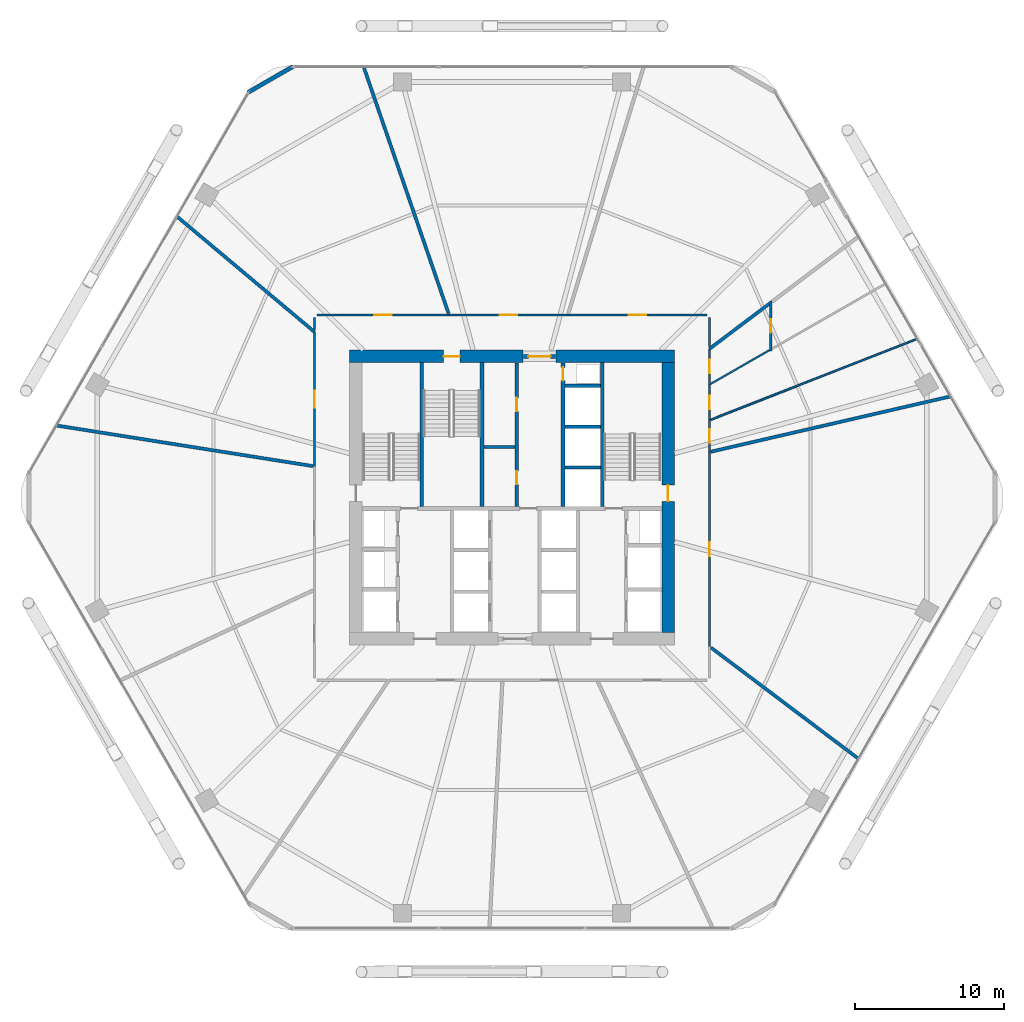
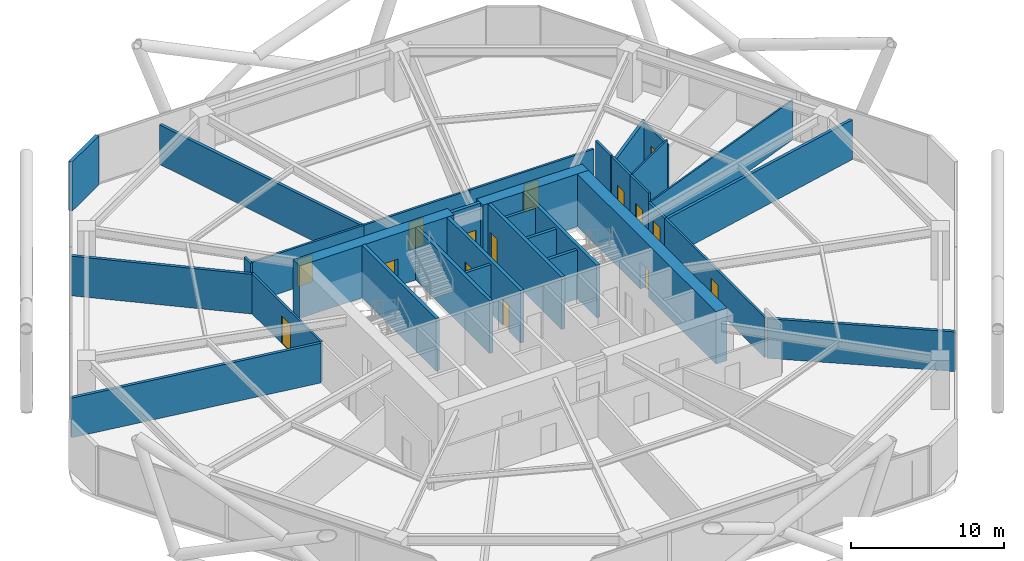
# One storey, part 26 of 28: 33 walls, 15 doors, 15 openings.
"""IFC4 building model written with IfcOpenShell, lengths in metres."""

from ifc_helpers import new_model, si_unit, direction, frame, frame_2d, origin, place, context, subcontext, project, spatial, rectangle, extrude, material, layer, layer_set, type_object, element, fill, save


model = new_model("IFC4")

# Units and contexts
model_context = context("Model", 3, precision=1e-05, world=origin(), true_north=direction((0.0, 1.0)))
body_context = subcontext(model_context, "Body", "Model", "MODEL_VIEW")
ifc_project = project(units=[si_unit("LENGTHUNIT", "METRE"), si_unit("AREAUNIT", "SQUARE_METRE"), si_unit("VOLUMEUNIT", "CUBIC_METRE"), si_unit("PLANEANGLEUNIT", "RADIAN"), si_unit("MASSUNIT", "GRAM", prefix="KILO")], contexts=[model_context])

# Site, building, storey
site_placement = place(None, origin())
site = spatial("IfcSite", under=ifc_project, at=site_placement, CompositionType="ELEMENT")
building_placement = place(site_placement, origin())
building = spatial("IfcBuilding", under=site, at=building_placement, Name="Zuhravey Tower", CompositionType="ELEMENT")
storey_placement = place(building_placement, frame((0.0, 0.0, 49.800048828125)))
storey = spatial("IfcBuildingStorey", under=building, at=storey_placement, Name="L12", CompositionType="ELEMENT", Elevation=49.800048828125)

# Wall
ifc_material_1 = material(Name="Concrete C60/75", Category="concrete")
ifc_layer_1 = layer(ifc_material_1, 0.85009765625)
ifc_layer_set_1 = layer_set([ifc_layer_1], Name="Concrete C60/75")
wall_type_1 = type_object("IfcWallType", Name="Core Shear Wall 850", PredefinedType="SHEAR", material=ifc_layer_set_1)
wall_1_placement = place(storey_placement, frame((46.925048828125, 41.5, 0.0), z_axis=(0.0, 0.0, 1.0), x_axis=(-1.0, 0.0, 0.0)))
element("IfcWall", 1, at=wall_1_placement, inside=storey, type_object=wall_type_1, Name="L12 North-East Core Shear Wall CW85", PredefinedType="SHEAR", context=body_context, shape_type="SweptSolid", body=[
    extrude(rectangle(XDim=7.97509765625, YDim=0.85009765625, at=frame_2d((3.987548828125, 0.0))), origin(), (0.0, 0.0, 1.0), 4.199951171875),
])

# Wall, opening, door
wall_2_placement = place(storey_placement, frame((36.75, 41.5, 0.0), z_axis=(0.0, 0.0, 1.0), x_axis=(-1.0, 0.0, 0.0)))
wall_2 = element("IfcWall", 2, at=wall_2_placement, inside=storey, type_object=wall_type_1, Name="L12 North-West Core Shear Wall CW85", PredefinedType="SHEAR", context=body_context, shape_type="SweptSolid", body=[
    extrude(rectangle(XDim=11.675048828125, YDim=0.85009765625, at=frame_2d((5.83740234375, 0.0))), origin(), (0.0, 0.0, 1.0), 4.199951171875),
])
opening_1_placement = place(wall_2_placement, frame((4.25, 0.0, 0.0)))
opening_1 = element("IfcOpeningElement", 3, at=opening_1_placement, cuts=wall_2, Name="Opening STD1", PredefinedType="OPENING", context=body_context, shape_type="SweptSolid", body=[
    extrude(rectangle(XDim=1.10009765625, YDim=2.14990234375, at=frame_2d((0.550048828125, 1.074951171875))), frame((0.0, 0.43701171875, 0.0), z_axis=(0.0, -1.0, 0.0), x_axis=(1.0, 0.0, 0.0)), (0.0, 0.0, 1.0), 0.8740234375),
])
ifc_material_2 = material(Name="Galvanised fire-rated steel leaf", Category="steel")
door_type_1 = type_object("IfcDoorType", Name="Protected Stair Fire Door 1100x2150", OperationType="NOTDEFINED", PredefinedType="USERDEFINED", material=ifc_material_2)
door_1_placement = place(opening_1_placement, origin())
door_1 = element("IfcDoor", 4, at=door_1_placement, inside=storey, type_object=door_type_1, Name="L12 Stair ST3 Door", ObjectType="EXITDOOR", OperationType="SINGLE_SWING_LEFT", OverallHeight=2.14990234375, OverallWidth=1.10009765625, PredefinedType="USERDEFINED", context=body_context, shape_type="SweptSolid", body=[
    extrude(rectangle(XDim=1.10009765625, YDim=2.14990234375, at=frame_2d((0.550048828125, 1.074951171875))), frame((0.0, 0.02490234375, 0.0), z_axis=(0.0, -1.0, 0.0), x_axis=(1.0, 0.0, 0.0)), (0.0, 0.0, 1.0), 0.050048828125),
])
fill(opening_1, door_1)

wall_3_placement = place(storey_placement, frame((46.5, 22.925048828125, 0.0), z_axis=(0.0, 0.0, 1.0), x_axis=(0.0, 1.0, 0.0)))
wall_3 = element("IfcWall", 5, at=wall_3_placement, inside=storey, type_object=wall_type_1, Name="L12 East Core Shear Wall CW85", PredefinedType="SHEAR", context=body_context, shape_type="SweptSolid", body=[
    extrude(rectangle(XDim=18.14990234375, YDim=0.85009765625, at=frame_2d((9.074951171875, 0.0))), origin(), (0.0, 0.0, 1.0), 4.199951171875),
])
opening_2_placement = place(wall_3_placement, frame((8.824951171875, 0.0, 0.0)))
opening_2 = element("IfcOpeningElement", 6, at=opening_2_placement, cuts=wall_3, Name="Opening STD1", PredefinedType="OPENING", context=body_context, shape_type="SweptSolid", body=[
    extrude(rectangle(XDim=1.10009765625, YDim=2.14990234375, at=frame_2d((0.550048828125, 1.074951171875))), frame((0.0, 0.43701171875, 0.0), z_axis=(0.0, -1.0, 0.0), x_axis=(1.0, 0.0, 0.0)), (0.0, 0.0, 1.0), 0.8740234375),
])
door_2_placement = place(opening_2_placement, origin())
door_2 = element("IfcDoor", 7, at=door_2_placement, inside=storey, type_object=door_type_1, Name="L12 Stair ST2 Door", ObjectType="EXITDOOR", OperationType="SINGLE_SWING_RIGHT", OverallHeight=2.14990234375, OverallWidth=1.10009765625, PredefinedType="USERDEFINED", context=body_context, shape_type="SweptSolid", body=[
    extrude(rectangle(XDim=1.10009765625, YDim=2.14990234375, at=frame_2d((0.550048828125, 1.074951171875))), frame((0.0, 0.02490234375, 0.0), z_axis=(0.0, -1.0, 0.0), x_axis=(1.0, 0.0, 0.0)), (0.0, 0.0, 1.0), 0.050048828125),
])
fill(opening_2, door_2)

ifc_material_3 = material(Name="Gypsum fire-rated stud partition")
ifc_layer_2 = layer(ifc_material_3, 0.159912109375)
ifc_layer_set_2 = layer_set([ifc_layer_2], Name="Gypsum fire-rated stud partition")
wall_type_2 = type_object("IfcWallType", Name="Corridor Fire Partition 160", PredefinedType="PARTITIONING", material=ifc_layer_set_2)
wall_4_placement = place(storey_placement, frame((49.284912109375, 35.067138671875, 0.0), z_axis=(0.0, 0.0, 1.0), x_axis=(0.0, 1.0, 0.0)))
wall_4 = element("IfcWall", 8, at=wall_4_placement, inside=storey, type_object=wall_type_2, Name="L12 IW16 Partition 019", PredefinedType="PARTITIONING", context=body_context, shape_type="SweptSolid", body=[
    extrude(rectangle(XDim=2.13916015625, YDim=0.159912109375, at=frame_2d((1.069580078125, 0.0))), origin(), (0.0, 0.0, 1.0), 3.219970703125),
])
opening_3_placement = place(wall_4_placement, frame((0.61962890625, 0.0, 0.0)))
opening_3 = element("IfcOpeningElement", 9, at=opening_3_placement, cuts=wall_4, Name="Opening RSD1", PredefinedType="OPENING", context=body_context, shape_type="SweptSolid", body=[
    extrude(rectangle(XDim=0.89990234375, YDim=2.10009765625, at=frame_2d((0.449951171875, 1.050048828125))), frame((0.0, 0.092041015625, 0.0), z_axis=(0.0, -1.0, 0.0), x_axis=(1.0, 0.0, 0.0)), (0.0, 0.0, 1.0), 0.183837890625),
])
ifc_material_4 = material(Name="Galvanised fire-rated steel access leaf", Category="steel")
door_type_2 = type_object("IfcDoorType", Name="Riser & Shaft Access Fire Door 900x2100", OperationType="NOTDEFINED", PredefinedType="DOOR", material=ifc_material_4)
door_3_placement = place(opening_3_placement, frame((0.89990234375, 0.0, 0.0), z_axis=(0.0, 0.0, 1.0), x_axis=(-1.0, 0.0, 0.0)))
door_3 = element("IfcDoor", 10, at=door_3_placement, inside=storey, type_object=door_type_2, Name="L12 Door 019.1", OperationType="SINGLE_SWING_LEFT", OverallHeight=2.10009765625, OverallWidth=0.89990234375, PredefinedType="DOOR", context=body_context, shape_type="SweptSolid", body=[
    extrude(rectangle(XDim=0.89990234375, YDim=2.10009765625, at=frame_2d((0.449951171875, 1.050048828125))), frame((0.0, 0.02490234375, 0.0), z_axis=(0.0, -1.0, 0.0), x_axis=(1.0, 0.0, 0.0)), (0.0, 0.0, 1.0), 0.050048828125),
])
fill(opening_3, door_3)

wall_5_placement = place(storey_placement, frame((49.284912109375, 37.206298828125, 0.0), z_axis=(0.0, 0.0, 1.0), x_axis=(0.0, 1.0, 0.0)))
wall_5 = element("IfcWall", 11, at=wall_5_placement, inside=storey, type_object=wall_type_2, Name="L12 IW16 Partition 020", PredefinedType="PARTITIONING", context=body_context, shape_type="SweptSolid", body=[
    extrude(rectangle(XDim=2.402099609375, YDim=0.159912109375, at=frame_2d((1.201171875, 0.0))), origin(), (0.0, 0.0, 1.0), 3.919921875),
])
opening_4_placement = place(wall_5_placement, frame((0.751220703125, 0.0, 0.0)))
opening_4 = element("IfcOpeningElement", 12, at=opening_4_placement, cuts=wall_5, Name="Opening RSD1", PredefinedType="OPENING", context=body_context, shape_type="SweptSolid", body=[
    extrude(rectangle(XDim=0.89990234375, YDim=2.10009765625, at=frame_2d((0.449951171875, 1.050048828125))), frame((0.0, 0.092041015625, 0.0), z_axis=(0.0, -1.0, 0.0), x_axis=(1.0, 0.0, 0.0)), (0.0, 0.0, 1.0), 0.183837890625),
])
door_4_placement = place(opening_4_placement, frame((0.89990234375, 0.0, 0.0), z_axis=(0.0, 0.0, 1.0), x_axis=(-1.0, 0.0, 0.0)))
door_4 = element("IfcDoor", 13, at=door_4_placement, inside=storey, type_object=door_type_2, Name="L12 Door 020.1", OperationType="SINGLE_SWING_RIGHT", OverallHeight=2.10009765625, OverallWidth=0.89990234375, PredefinedType="DOOR", context=body_context, shape_type="SweptSolid", body=[
    extrude(rectangle(XDim=0.89990234375, YDim=2.10009765625, at=frame_2d((0.449951171875, 1.050048828125))), frame((0.0, 0.02490234375, 0.0), z_axis=(0.0, -1.0, 0.0), x_axis=(1.0, 0.0, 0.0)), (0.0, 0.0, 1.0), 0.050048828125),
])
fill(opening_4, door_4)

wall_6_placement = place(storey_placement, frame((53.405029296875, 45.2158203125, 0.0), z_axis=(0.0, 0.0, 1.0), x_axis=(0.0, -1.0, 0.0)))
wall_6 = element("IfcWall", 14, at=wall_6_placement, inside=storey, type_object=wall_type_2, Name="L12 IW16 Partition 021", PredefinedType="PARTITIONING", context=body_context, shape_type="SweptSolid", body=[
    extrude(rectangle(XDim=3.340087890625, YDim=0.159912109375, at=frame_2d((1.669921875, 0.0))), origin(), (0.0, 0.0, 1.0), 3.469970703125),
])
opening_5_placement = place(wall_6_placement, frame((1.219970703125, 0.0, 0.0)))
opening_5 = element("IfcOpeningElement", 15, at=opening_5_placement, cuts=wall_6, Name="Opening RSD1", PredefinedType="OPENING", context=body_context, shape_type="SweptSolid", body=[
    extrude(rectangle(XDim=0.89990234375, YDim=2.10009765625, at=frame_2d((0.449951171875, 1.050048828125))), frame((0.0, 0.092041015625, 0.0), z_axis=(0.0, -1.0, 0.0), x_axis=(1.0, 0.0, 0.0)), (0.0, 0.0, 1.0), 0.183837890625),
])
door_5_placement = place(opening_5_placement, origin())
door_5 = element("IfcDoor", 16, at=door_5_placement, inside=storey, type_object=door_type_2, Name="L12 Door 021.1", OperationType="SINGLE_SWING_LEFT", OverallHeight=2.10009765625, OverallWidth=0.89990234375, PredefinedType="DOOR", context=body_context, shape_type="SweptSolid", body=[
    extrude(rectangle(XDim=0.89990234375, YDim=2.10009765625, at=frame_2d((0.449951171875, 1.050048828125))), frame((0.0, 0.02490234375, 0.0), z_axis=(0.0, -1.0, 0.0), x_axis=(1.0, 0.0, 0.0)), (0.0, 0.0, 1.0), 0.050048828125),
])
fill(opening_5, door_5)

wall_7_placement = place(storey_placement, frame((49.284912109375, 39.6083984375, 0.0), z_axis=(0.0, 0.0, 1.0), x_axis=(0.0, 1.0, 0.0)))
wall_7 = element("IfcWall", 17, at=wall_7_placement, inside=storey, type_object=wall_type_2, Name="L12 IW16 Partition 022", PredefinedType="PARTITIONING", context=body_context, shape_type="SweptSolid", body=[
    extrude(rectangle(XDim=2.402587890625, YDim=0.159912109375, at=frame_2d((1.201171875, 0.0))), origin(), (0.0, 0.0, 1.0), 3.919921875),
])
opening_6_placement = place(wall_7_placement, frame((0.751220703125, 0.0, 0.0)))
opening_6 = element("IfcOpeningElement", 18, at=opening_6_placement, cuts=wall_7, Name="Opening RSD1", PredefinedType="OPENING", context=body_context, shape_type="SweptSolid", body=[
    extrude(rectangle(XDim=0.89990234375, YDim=2.10009765625, at=frame_2d((0.449951171875, 1.050048828125))), frame((0.0, 0.092041015625, 0.0), z_axis=(0.0, -1.0, 0.0), x_axis=(1.0, 0.0, 0.0)), (0.0, 0.0, 1.0), 0.183837890625),
])
door_6_placement = place(opening_6_placement, frame((0.89990234375, 0.0, 0.0), z_axis=(0.0, 0.0, 1.0), x_axis=(-1.0, 0.0, 0.0)))
door_6 = element("IfcDoor", 19, at=door_6_placement, inside=storey, type_object=door_type_2, Name="L12 Door 022.1", OperationType="SINGLE_SWING_RIGHT", OverallHeight=2.10009765625, OverallWidth=0.89990234375, PredefinedType="DOOR", context=body_context, shape_type="SweptSolid", body=[
    extrude(rectangle(XDim=0.89990234375, YDim=2.10009765625, at=frame_2d((0.449951171875, 1.050048828125))), frame((0.0, 0.02490234375, 0.0), z_axis=(0.0, -1.0, 0.0), x_axis=(1.0, 0.0, 0.0)), (0.0, 0.0, 1.0), 0.050048828125),
])
fill(opening_6, door_6)

wall_8_placement = place(storey_placement, frame((49.125, 44.284912109375, 0.0), z_axis=(0.0, 0.0, 1.0), x_axis=(-1.0, 0.0, 0.0)))
wall_8 = element("IfcWall", 20, at=wall_8_placement, inside=storey, type_object=wall_type_2, Name="L12 IW16 Partition 023", PredefinedType="PARTITIONING", context=body_context, shape_type="SweptSolid", body=[
    extrude(rectangle(XDim=9.369140625, YDim=0.159912109375, at=frame_2d((4.6845703125, 0.0))), origin(), (0.0, 0.0, 1.0), 3.219970703125),
])
opening_7_placement = place(wall_8_placement, frame((4.109619140625, 0.0, 0.0)))
opening_7 = element("IfcOpeningElement", 21, at=opening_7_placement, cuts=wall_8, Name="Opening CLD1", PredefinedType="OPENING", context=body_context, shape_type="SweptSolid", body=[
    extrude(rectangle(XDim=1.14990234375, YDim=2.199951171875, at=frame_2d((0.574951171875, 1.10009765625))), frame((0.0, 0.092041015625, 0.0), z_axis=(0.0, -1.0, 0.0), x_axis=(1.0, 0.0, 0.0)), (0.0, 0.0, 1.0), 0.183837890625),
])
ifc_material_5 = material(Name="Acoustic timber leaf with vision lite", Category="wood")
door_type_3 = type_object("IfcDoorType", Name="Classroom Acoustic Door 1150x2200", OperationType="NOTDEFINED", PredefinedType="DOOR", material=ifc_material_5)
door_7_placement = place(opening_7_placement, frame((1.14990234375, 0.0, 0.0), z_axis=(0.0, 0.0, 1.0), x_axis=(-1.0, 0.0, 0.0)))
door_7 = element("IfcDoor", 22, at=door_7_placement, inside=storey, type_object=door_type_3, Name="L12 Door 023.1", OperationType="SINGLE_SWING_LEFT", OverallHeight=2.199951171875, OverallWidth=1.14990234375, PredefinedType="DOOR", context=body_context, shape_type="SweptSolid", body=[
    extrude(rectangle(XDim=1.14990234375, YDim=2.199951171875, at=frame_2d((0.574951171875, 1.10009765625))), frame((0.0, 0.02490234375, 0.0), z_axis=(0.0, -1.0, 0.0), x_axis=(1.0, 0.0, 0.0)), (0.0, 0.0, 1.0), 0.050048828125),
])
fill(opening_7, door_7)

wall_9_placement = place(storey_placement, frame((39.755859375, 44.284912109375, 0.0), z_axis=(0.0, 0.0, 1.0), x_axis=(-1.0, 0.0, 0.0)))
wall_9 = element("IfcWall", 23, at=wall_9_placement, inside=storey, type_object=wall_type_2, Name="L12 IW16 Partition 024", PredefinedType="PARTITIONING", context=body_context, shape_type="SweptSolid", body=[
    extrude(rectangle(XDim=7.98583984375, YDim=0.159912109375, at=frame_2d((3.992919921875, 0.0))), origin(), (0.0, 0.0, 1.0), 3.219970703125),
])
opening_8_placement = place(wall_9_placement, frame((3.41796875, 0.0, 0.0)))
opening_8 = element("IfcOpeningElement", 24, at=opening_8_placement, cuts=wall_9, Name="Opening CLD1", PredefinedType="OPENING", context=body_context, shape_type="SweptSolid", body=[
    extrude(rectangle(XDim=1.14990234375, YDim=2.199951171875, at=frame_2d((0.574951171875, 1.10009765625))), frame((0.0, 0.092041015625, 0.0), z_axis=(0.0, -1.0, 0.0), x_axis=(1.0, 0.0, 0.0)), (0.0, 0.0, 1.0), 0.183837890625),
])
door_8_placement = place(opening_8_placement, frame((1.14990234375, 0.0, 0.0), z_axis=(0.0, 0.0, 1.0), x_axis=(-1.0, 0.0, 0.0)))
door_8 = element("IfcDoor", 25, at=door_8_placement, inside=storey, type_object=door_type_3, Name="L12 Door 024.1", OperationType="SINGLE_SWING_RIGHT", OverallHeight=2.199951171875, OverallWidth=1.14990234375, PredefinedType="DOOR", context=body_context, shape_type="SweptSolid", body=[
    extrude(rectangle(XDim=1.14990234375, YDim=2.199951171875, at=frame_2d((0.574951171875, 1.10009765625))), frame((0.0, 0.02490234375, 0.0), z_axis=(0.0, -1.0, 0.0), x_axis=(1.0, 0.0, 0.0)), (0.0, 0.0, 1.0), 0.050048828125),
])
fill(opening_8, door_8)

wall_10_placement = place(storey_placement, frame((31.77001953125, 44.284912109375, 0.0), z_axis=(0.0, 0.0, 1.0), x_axis=(-1.0, 0.0, 0.0)))
wall_10 = element("IfcWall", 26, at=wall_10_placement, inside=storey, type_object=wall_type_2, Name="L12 IW16 Partition 025", PredefinedType="PARTITIONING", context=body_context, shape_type="SweptSolid", body=[
    extrude(rectangle(XDim=8.89501953125, YDim=0.159912109375, at=frame_2d((4.447509765625, 0.0))), origin(), (0.0, 0.0, 1.0), 3.219970703125),
])
opening_9_placement = place(wall_10_placement, frame((3.872314453125, 0.0, 0.0)))
opening_9 = element("IfcOpeningElement", 27, at=opening_9_placement, cuts=wall_10, Name="Opening CLD1", PredefinedType="OPENING", context=body_context, shape_type="SweptSolid", body=[
    extrude(rectangle(XDim=1.14990234375, YDim=2.199951171875, at=frame_2d((0.574951171875, 1.10009765625))), frame((0.0, 0.092041015625, 0.0), z_axis=(0.0, -1.0, 0.0), x_axis=(1.0, 0.0, 0.0)), (0.0, 0.0, 1.0), 0.183837890625),
])
door_9_placement = place(opening_9_placement, frame((1.14990234375, 0.0, 0.0), z_axis=(0.0, 0.0, 1.0), x_axis=(-1.0, 0.0, 0.0)))
door_9 = element("IfcDoor", 28, at=door_9_placement, inside=storey, type_object=door_type_3, Name="L12 Door 025.1", OperationType="SINGLE_SWING_LEFT", OverallHeight=2.199951171875, OverallWidth=1.14990234375, PredefinedType="DOOR", context=body_context, shape_type="SweptSolid", body=[
    extrude(rectangle(XDim=1.14990234375, YDim=2.199951171875, at=frame_2d((0.574951171875, 1.10009765625))), frame((0.0, 0.02490234375, 0.0), z_axis=(0.0, -1.0, 0.0), x_axis=(1.0, 0.0, 0.0)), (0.0, 0.0, 1.0), 0.050048828125),
])
fill(opening_9, door_9)

wall_11_placement = place(storey_placement, frame((22.715087890625, 43.1474609375, 0.0), z_axis=(0.0, 0.0, 1.0), x_axis=(0.0, -1.0, 0.0)))
wall_11 = element("IfcWall", 29, at=wall_11_placement, inside=storey, type_object=wall_type_2, Name="L12 IW16 Partition 026", PredefinedType="PARTITIONING", context=body_context, shape_type="SweptSolid", body=[
    extrude(rectangle(XDim=9.04345703125, YDim=0.159912109375, at=frame_2d((4.521728515625, 0.0))), origin(), (0.0, 0.0, 1.0), 3.219970703125),
])
opening_10_placement = place(wall_11_placement, frame((3.946533203125, 0.0, 0.0)))
opening_10 = element("IfcOpeningElement", 30, at=opening_10_placement, cuts=wall_11, Name="Opening CLD1", PredefinedType="OPENING", context=body_context, shape_type="SweptSolid", body=[
    extrude(rectangle(XDim=1.14990234375, YDim=2.199951171875, at=frame_2d((0.574951171875, 1.10009765625))), frame((0.0, 0.092041015625, 0.0), z_axis=(0.0, -1.0, 0.0), x_axis=(1.0, 0.0, 0.0)), (0.0, 0.0, 1.0), 0.183837890625),
])
door_10_placement = place(opening_10_placement, frame((1.14990234375, 0.0, 0.0), z_axis=(0.0, 0.0, 1.0), x_axis=(-1.0, 0.0, 0.0)))
door_10 = element("IfcDoor", 31, at=door_10_placement, inside=storey, type_object=door_type_3, Name="L12 Door 026.1", OperationType="SINGLE_SWING_RIGHT", OverallHeight=2.199951171875, OverallWidth=1.14990234375, PredefinedType="DOOR", context=body_context, shape_type="SweptSolid", body=[
    extrude(rectangle(XDim=1.14990234375, YDim=2.199951171875, at=frame_2d((0.574951171875, 1.10009765625))), frame((0.0, 0.02490234375, 0.0), z_axis=(0.0, -1.0, 0.0), x_axis=(1.0, 0.0, 0.0)), (0.0, 0.0, 1.0), 0.050048828125),
])
fill(opening_10, door_10)

wall_12_placement = place(storey_placement, frame((49.284912109375, 21.989013671875, 0.0), z_axis=(0.0, 0.0, 1.0), x_axis=(0.0, 1.0, 0.0)))
wall_12 = element("IfcWall", 32, at=wall_12_placement, inside=storey, type_object=wall_type_2, Name="L12 IW16 Partition 032", PredefinedType="PARTITIONING", context=body_context, shape_type="SweptSolid", body=[
    extrude(rectangle(XDim=13.078125, YDim=0.159912109375, at=frame_2d((6.5390625, 0.0))), origin(), (0.0, 0.0, 1.0), 3.219970703125),
])
opening_11_placement = place(wall_12_placement, frame((6.064208984375, 0.0, 0.0)))
opening_11 = element("IfcOpeningElement", 33, at=opening_11_placement, cuts=wall_12, Name="Opening IND1", PredefinedType="OPENING", context=body_context, shape_type="SweptSolid", body=[
    extrude(rectangle(XDim=0.949951171875, YDim=2.10009765625, at=frame_2d((0.47509765625, 1.050048828125))), frame((0.0, 0.092041015625, 0.0), z_axis=(0.0, -1.0, 0.0), x_axis=(1.0, 0.0, 0.0)), (0.0, 0.0, 1.0), 0.183837890625),
])
ifc_material_6 = material(Name="Painted engineered timber leaf", Category="wood")
door_type_4 = type_object("IfcDoorType", Name="Internal Room & Bedroom Door 950x2100", OperationType="NOTDEFINED", PredefinedType="DOOR", material=ifc_material_6)
door_11_placement = place(opening_11_placement, frame((0.949951171875, 0.0, 0.0), z_axis=(0.0, 0.0, 1.0), x_axis=(-1.0, 0.0, 0.0)))
door_11 = element("IfcDoor", 34, at=door_11_placement, inside=storey, type_object=door_type_4, Name="L12 Door 032.1", OperationType="SINGLE_SWING_RIGHT", OverallHeight=2.10009765625, OverallWidth=0.949951171875, PredefinedType="DOOR", context=body_context, shape_type="SweptSolid", body=[
    extrude(rectangle(XDim=0.949951171875, YDim=2.10009765625, at=frame_2d((0.47509765625, 1.050048828125))), frame((0.0, 0.02490234375, 0.0), z_axis=(0.0, -1.0, 0.0), x_axis=(1.0, 0.0, 0.0)), (0.0, 0.0, 1.0), 0.050048828125),
])
fill(opening_11, door_11)

# Walls
wall_13_placement = place(storey_placement, frame((49.284912109375, 42.15869140625, 0.0), z_axis=(0.0, 0.0, 1.0), x_axis=(0.0, 1.0, 0.0)))
element("IfcWall", 35, at=wall_13_placement, inside=storey, type_object=wall_type_2, Name="L12 IW16 Partition 048", PredefinedType="PARTITIONING", context=body_context, shape_type="SweptSolid", body=[
    extrude(rectangle(XDim=1.96630859375, YDim=0.159912109375, at=frame_2d((0.983154296875, 0.0))), origin(), (0.0, 0.0, 1.0), 3.919921875),
])
wall_14_placement = place(storey_placement, frame((22.715087890625, 44.125, 0.0), z_axis=(0.0, 0.0, 1.0), x_axis=(0.0, -1.0, 0.0)))
element("IfcWall", 36, at=wall_14_placement, inside=storey, type_object=wall_type_2, Name="L12 IW16 Partition 051", PredefinedType="PARTITIONING", context=body_context, shape_type="SweptSolid", body=[
    extrude(rectangle(XDim=0.823486328125, YDim=0.159912109375, at=frame_2d((0.41162109375, 0.0))), origin(), (0.0, 0.0, 1.0), 3.919921875),
])
ifc_material_7 = material(Name="Precast concrete C40/50", Category="concrete")
ifc_layer_3 = layer(ifc_material_7, 0.280029296875)
ifc_layer_set_3 = layer_set([ifc_layer_3], Name="Precast concrete C40/50")
wall_type_3 = type_object("IfcWallType", Name="Crown Architectural Wall 280", PredefinedType="SOLIDWALL", material=ifc_layer_set_3)
wall_15_placement = place(storey_placement, frame((18.23876953125, 59.24853515625, 0.0), z_axis=(0.0, 0.0, 1.0), x_axis=(0.866007452331, 0.500031091541, 0.0)))
element("IfcWall", 37, at=wall_15_placement, inside=storey, type_object=wall_type_3, Name="L12 Rounded Corner Closure Wall EW28-08", PredefinedType="SOLIDWALL", context=body_context, shape_type="SweptSolid", body=[
    extrude(rectangle(XDim=3.514892578125, YDim=0.280029296875, at=frame_2d((1.75732421875, 0.0))), origin(), (0.0, 0.0, 1.0), 3.919921875),
])

# Wall, opening, door
ifc_material_8 = material(Name="Concrete C50/60", Category="concrete")
ifc_layer_4 = layer(ifc_material_8, 0.25)
ifc_layer_set_4 = layer_set([ifc_layer_4], Name="Concrete C50/60")
wall_type_4 = type_object("IfcWallType", Name="Firefighting Shaft & Stair Wall 250", PredefinedType="SOLIDWALL", material=ifc_layer_set_4)
wall_16_placement = place(storey_placement, frame((36.760009765625, 41.5, 0.0), z_axis=(0.0, 0.0, 1.0), x_axis=(1.0, 0.0, 0.0)))
wall_16 = element("IfcWall", 38, at=wall_16_placement, inside=storey, type_object=wall_type_4, Name="L12 FW25 Shaft Wall 002", PredefinedType="SOLIDWALL", context=body_context, shape_type="SweptSolid", body=[
    extrude(rectangle(XDim=2.179931640625, YDim=0.25, at=frame_2d((1.08984375, 0.0))), origin(), (0.0, 0.0, 1.0), 4.199951171875),
])
opening_12_placement = place(wall_16_placement, frame((0.340087890625, 0.0, 0.0)))
opening_12 = element("IfcOpeningElement", 39, at=opening_12_placement, cuts=wall_16, Name="Opening FFD1", PredefinedType="OPENING", context=body_context, shape_type="SweptSolid", body=[
    extrude(rectangle(XDim=1.5, YDim=2.14990234375, at=frame_2d((0.75, 1.074951171875))), frame((0.0, 0.136962890625, 0.0), z_axis=(0.0, -1.0, 0.0), x_axis=(1.0, 0.0, 0.0)), (0.0, 0.0, 1.0), 0.27392578125),
])
door_type_5 = type_object("IfcDoorType", Name="Firefighting Lobby Double Door 1500x2150", OperationType="DOUBLE_DOOR_SINGLE_SWING", PredefinedType="DOOR", material=ifc_material_2)
door_12_placement = place(opening_12_placement, origin())
door_12 = element("IfcDoor", 40, at=door_12_placement, inside=storey, type_object=door_type_5, Name="L12 North Lift Lobby Exit Door", OperationType="DOUBLE_DOOR_SINGLE_SWING", OverallHeight=2.14990234375, OverallWidth=1.5, PredefinedType="DOOR", context=body_context, shape_type="SweptSolid", body=[
    extrude(rectangle(XDim=1.5, YDim=2.14990234375, at=frame_2d((0.75, 1.074951171875))), frame((0.0, 0.02490234375, 0.0), z_axis=(0.0, -1.0, 0.0), x_axis=(1.0, 0.0, 0.0)), (0.0, 0.0, 1.0), 0.050048828125),
])
fill(opening_12, door_12)

# Walls
for number, where, z_axis, x_axis, name in (
    (41, (29.925048828125, 31.39990234375, 0.0), (0.0, 0.0, 1.0), (0.0, 1.0, 0.0), "L12 FW25 Shaft Wall 004"),
    (42, (33.97509765625, 31.39990234375, 0.0), (0.0, 0.0, 1.0), (0.0, 1.0, 0.0), "L12 FW25 Shaft Wall 005"),
    (43, (42.074951171875, 31.39990234375, 0.0), (0.0, 0.0, 1.0), (0.0, 1.0, 0.0), "L12 FW25 Shaft Wall 006"),
):
    element("IfcWall", number, at=place(storey_placement, frame(where, z_axis=z_axis, x_axis=x_axis)), inside=storey, type_object=wall_type_4, Name=name, PredefinedType="SOLIDWALL", context=body_context, shape_type="SweptSolid", body=[
        extrude(rectangle(XDim=9.7001953125, YDim=0.25, at=frame_2d((4.85009765625, 0.0))), origin(), (0.0, 0.0, 1.0), 4.199951171875),
    ])

# Wall, openings, doors
wall_17_placement = place(storey_placement, frame((36.324951171875, 31.39990234375, 0.0), z_axis=(0.0, 0.0, 1.0), x_axis=(0.0, 1.0, 0.0)))
wall_17 = element("IfcWall", 44, at=wall_17_placement, inside=storey, type_object=wall_type_4, Name="L12 FW25 Shaft Wall 007", PredefinedType="SOLIDWALL", context=body_context, shape_type="SweptSolid", body=[
    extrude(rectangle(XDim=9.650146484375, YDim=0.25, at=frame_2d((4.8251953125, 0.0))), origin(), (0.0, 0.0, 1.0), 4.199951171875),
])
opening_13_placement = place(wall_17_placement, frame((1.489990234375, 0.0, 0.0)))
opening_13 = element("IfcOpeningElement", 45, at=opening_13_placement, cuts=wall_17, Name="Opening RSD1", PredefinedType="OPENING", context=body_context, shape_type="SweptSolid", body=[
    extrude(rectangle(XDim=0.89990234375, YDim=2.10009765625, at=frame_2d((0.449951171875, 1.050048828125))), frame((0.0, 0.136962890625, 0.0), z_axis=(0.0, -1.0, 0.0), x_axis=(1.0, 0.0, 0.0)), (0.0, 0.0, 1.0), 0.27392578125),
])
opening_14_placement = place(wall_17_placement, frame((6.409912109375, 0.0, 0.0)))
opening_14 = element("IfcOpeningElement", 46, at=opening_14_placement, cuts=wall_17, Name="Opening RSD1", PredefinedType="OPENING", context=body_context, shape_type="SweptSolid", body=[
    extrude(rectangle(XDim=0.89990234375, YDim=2.10009765625, at=frame_2d((0.449951171875, 1.050048828125))), frame((0.0, 0.136962890625, 0.0), z_axis=(0.0, -1.0, 0.0), x_axis=(1.0, 0.0, 0.0)), (0.0, 0.0, 1.0), 0.27392578125),
])
door_13_placement = place(opening_13_placement, origin())
door_13 = element("IfcDoor", 47, at=door_13_placement, inside=storey, type_object=door_type_2, Name="L12 Core Cleaner Store Door", OperationType="SINGLE_SWING_LEFT", OverallHeight=2.10009765625, OverallWidth=0.89990234375, PredefinedType="DOOR", context=body_context, shape_type="SweptSolid", body=[
    extrude(rectangle(XDim=0.89990234375, YDim=2.10009765625, at=frame_2d((0.449951171875, 1.050048828125))), frame((0.0, 0.02490234375, 0.0), z_axis=(0.0, -1.0, 0.0), x_axis=(1.0, 0.0, 0.0)), (0.0, 0.0, 1.0), 0.050048828125),
])
fill(opening_13, door_13)
door_14_placement = place(opening_14_placement, origin())
door_14 = element("IfcDoor", 48, at=door_14_placement, inside=storey, type_object=door_type_2, Name="L12 Core Pantry and Tea Room Door", OperationType="SINGLE_SWING_RIGHT", OverallHeight=2.10009765625, OverallWidth=0.89990234375, PredefinedType="DOOR", context=body_context, shape_type="SweptSolid", body=[
    extrude(rectangle(XDim=0.89990234375, YDim=2.10009765625, at=frame_2d((0.449951171875, 1.050048828125))), frame((0.0, 0.02490234375, 0.0), z_axis=(0.0, -1.0, 0.0), x_axis=(1.0, 0.0, 0.0)), (0.0, 0.0, 1.0), 0.050048828125),
])
fill(opening_14, door_14)

# Wall, opening, door
wall_18_placement = place(storey_placement, frame((39.425048828125, 31.39990234375, 0.0), z_axis=(0.0, 0.0, 1.0), x_axis=(0.0, 1.0, 0.0)))
wall_18 = element("IfcWall", 49, at=wall_18_placement, inside=storey, type_object=wall_type_4, Name="L12 FW25 Shaft Wall 008", PredefinedType="SOLIDWALL", context=body_context, shape_type="SweptSolid", body=[
    extrude(rectangle(XDim=9.650146484375, YDim=0.25, at=frame_2d((4.8251953125, 0.0))), origin(), (0.0, 0.0, 1.0), 4.199951171875),
])
opening_15_placement = place(wall_18_placement, frame((8.469970703125, 0.0, 0.0)))
opening_15 = element("IfcOpeningElement", 50, at=opening_15_placement, cuts=wall_18, Name="Opening RSD1", PredefinedType="OPENING", context=body_context, shape_type="SweptSolid", body=[
    extrude(rectangle(XDim=0.89990234375, YDim=2.10009765625, at=frame_2d((0.449951171875, 1.050048828125))), frame((0.0, 0.136962890625, 0.0), z_axis=(0.0, -1.0, 0.0), x_axis=(1.0, 0.0, 0.0)), (0.0, 0.0, 1.0), 0.27392578125),
])
door_15_placement = place(opening_15_placement, origin())
door_15 = element("IfcDoor", 51, at=door_15_placement, inside=storey, type_object=door_type_2, Name="L12 North Riser Door", OperationType="SINGLE_SWING_LEFT", OverallHeight=2.10009765625, OverallWidth=0.89990234375, PredefinedType="DOOR", context=body_context, shape_type="SweptSolid", body=[
    extrude(rectangle(XDim=0.89990234375, YDim=2.10009765625, at=frame_2d((0.449951171875, 1.050048828125))), frame((0.0, 0.02490234375, 0.0), z_axis=(0.0, -1.0, 0.0), x_axis=(1.0, 0.0, 0.0)), (0.0, 0.0, 1.0), 0.050048828125),
])
fill(opening_15, door_15)

# Walls
ifc_material_9 = material(Name="Gypsum acoustic stud assembly")
ifc_layer_5 = layer(ifc_material_9, 0.219970703125)
ifc_layer_set_5 = layer_set([ifc_layer_5], Name="Gypsum acoustic stud assembly")
wall_type_5 = type_object("IfcWallType", Name="School Acoustic Compartment Wall 220", PredefinedType="PARTITIONING", material=ifc_layer_set_5)
wall_19_placement = place(storey_placement, frame((34.10791015625, 35.39990234375, 0.0), z_axis=(0.0, 0.0, 1.0), x_axis=(1.0, 0.0, 0.0)))
element("IfcWall", 52, at=wall_19_placement, inside=storey, type_object=wall_type_5, Name="L12 IW22 Partition 033", PredefinedType="PARTITIONING", context=body_context, shape_type="SweptSolid", body=[
    extrude(rectangle(XDim=2.083984375, YDim=0.219970703125, at=frame_2d((1.0419921875, 0.0))), origin(), (0.0, 0.0, 1.0), 3.919921875),
])
for number, where, z_axis, x_axis, name in (
    (53, (39.55810546875, 34.02490234375, 0.0), (0.0, 0.0, 1.0), (1.0, 0.0, 0.0), "L12 IW22 Partition 034"),
    (54, (39.55810546875, 36.77490234375, 0.0), (0.0, 0.0, 1.0), (1.0, 0.0, 0.0), "L12 IW22 Partition 035"),
    (55, (39.55810546875, 39.52490234375, 0.0), (0.0, 0.0, 1.0), (1.0, 0.0, 0.0), "L12 IW22 Partition 036"),
):
    element("IfcWall", number, at=place(storey_placement, frame(where, z_axis=z_axis, x_axis=x_axis)), inside=storey, type_object=wall_type_5, Name=name, PredefinedType="PARTITIONING", context=body_context, shape_type="SweptSolid", body=[
        extrude(rectangle(XDim=2.3837890625, YDim=0.219970703125, at=frame_2d((1.19189453125, 0.0))), origin(), (0.0, 0.0, 1.0), 3.919921875),
    ])
wall_20_placement = place(storey_placement, frame((49.373046875, 35.08740234375, 0.0), z_axis=(0.0, 0.0, 1.0), x_axis=(0.974368575461, 0.224957505217, 0.0)))
element("IfcWall", 56, at=wall_20_placement, inside=storey, type_object=wall_type_5, Name="L12 IW22 Partition 041", PredefinedType="PARTITIONING", context=body_context, shape_type="SweptSolid", body=[
    extrude(rectangle(XDim=16.556884765625, YDim=0.219970703125, at=frame_2d((8.2783203125, 0.0))), origin(), (0.0, 0.0, 1.0), 3.169921875),
])
wall_21_placement = place(storey_placement, frame((49.284912109375, 42.010986328125, 0.0), z_axis=(0.0, 0.0, 1.0), x_axis=(0.798634234908, 0.601816715315, 0.0)))
element("IfcWall", 57, at=wall_21_placement, inside=storey, type_object=wall_type_5, Name="L12 IW22 Partition 045", PredefinedType="PARTITIONING", context=body_context, shape_type="SweptSolid", body=[
    extrude(rectangle(XDim=5.048583984375, YDim=0.219970703125, at=frame_2d((2.5244140625, 0.0))), origin(), (0.0, 0.0, 1.0), 3.469970703125),
])
wall_22_placement = place(storey_placement, frame((31.739501953125, 44.373046875, 0.0), z_axis=(0.0, 0.0, 1.0), x_axis=(-0.325561284918, 0.945520940943, 0.0)))
element("IfcWall", 58, at=wall_22_placement, inside=storey, type_object=wall_type_5, Name="L12 IW22 Partition 049", PredefinedType="PARTITIONING", context=body_context, shape_type="SweptSolid", body=[
    extrude(rectangle(XDim=17.541015625, YDim=0.219970703125, at=frame_2d((8.7705078125, 0.0))), origin(), (0.0, 0.0, 1.0), 3.169921875),
])
wall_23_placement = place(storey_placement, frame((22.715087890625, 43.1474609375, 0.0), z_axis=(0.0, 0.0, 1.0), x_axis=(-0.766043656225, 0.642788547469, 0.0)))
element("IfcWall", 59, at=wall_23_placement, inside=storey, type_object=wall_type_5, Name="L12 IW22 Partition 050", PredefinedType="PARTITIONING", context=body_context, shape_type="SweptSolid", body=[
    extrude(rectangle(XDim=12.06298828125, YDim=0.219970703125, at=frame_2d((6.031494140625, 0.0))), origin(), (0.0, 0.0, 1.0), 3.169921875),
])
wall_24_placement = place(storey_placement, frame((22.626953125, 34.1181640625, 0.0), z_axis=(0.0, 0.0, 1.0), x_axis=(-0.987689809262, 0.156425191961, 0.0)))
element("IfcWall", 60, at=wall_24_placement, inside=storey, type_object=wall_type_5, Name="L12 IW22 Partition 052", PredefinedType="PARTITIONING", context=body_context, shape_type="SweptSolid", body=[
    extrude(rectangle(XDim=17.478759765625, YDim=0.219970703125, at=frame_2d((8.7392578125, 0.0))), origin(), (0.0, 0.0, 1.0), 3.169921875),
])
wall_25_placement = place(storey_placement, frame((49.373046875, 21.922607421875, 0.0), z_axis=(0.0, 0.0, 1.0), x_axis=(0.798630996951, -0.601821012187, 0.0)))
element("IfcWall", 61, at=wall_25_placement, inside=storey, type_object=wall_type_5, Name="L12 IW22 Partition 059", PredefinedType="PARTITIONING", context=body_context, shape_type="SweptSolid", body=[
    extrude(rectangle(XDim=12.430908203125, YDim=0.219970703125, at=frame_2d((6.21533203125, 0.0))), origin(), (0.0, 0.0, 1.0), 3.169921875),
])
ifc_material_10 = material(Name="Gypsum metal-stud partition")
ifc_layer_6 = layer(ifc_material_10, 0.1201171875)
ifc_layer_set_6 = layer_set([ifc_layer_6], Name="Gypsum metal-stud partition")
wall_type_6 = type_object("IfcWallType", Name="Unit Internal Partition 120", PredefinedType="PARTITIONING", material=ifc_layer_set_6)
wall_26_placement = place(storey_placement, frame((49.373046875, 37.24072265625, 0.0), z_axis=(0.0, 0.0, 1.0), x_axis=(0.931056574404, 0.364874848761, 0.0)))
element("IfcWall", 62, at=wall_26_placement, inside=storey, type_object=wall_type_6, Name="L12 IW12 Partition 042", PredefinedType="PARTITIONING", context=body_context, shape_type="SweptSolid", body=[
    extrude(rectangle(XDim=14.924560546875, YDim=0.1201171875, at=frame_2d((7.46240234375, 0.0))), origin(), (0.0, 0.0, 1.0), 3.169921875),
])
wall_27_placement = place(storey_placement, frame((49.373046875, 39.65869140625, 0.0), z_axis=(0.0, 0.0, 1.0), x_axis=(0.867753476972, 0.496994872412, 0.0)))
element("IfcWall", 63, at=wall_27_placement, inside=storey, type_object=wall_type_6, Name="L12 IW12 Partition 043", PredefinedType="PARTITIONING", context=body_context, shape_type="SweptSolid", body=[
    extrude(rectangle(XDim=4.544921875, YDim=0.1201171875, at=frame_2d((2.2724609375, 0.0))), origin(), (0.0, 0.0, 1.0), 3.919921875),
])

save(model, "model.ifc")
